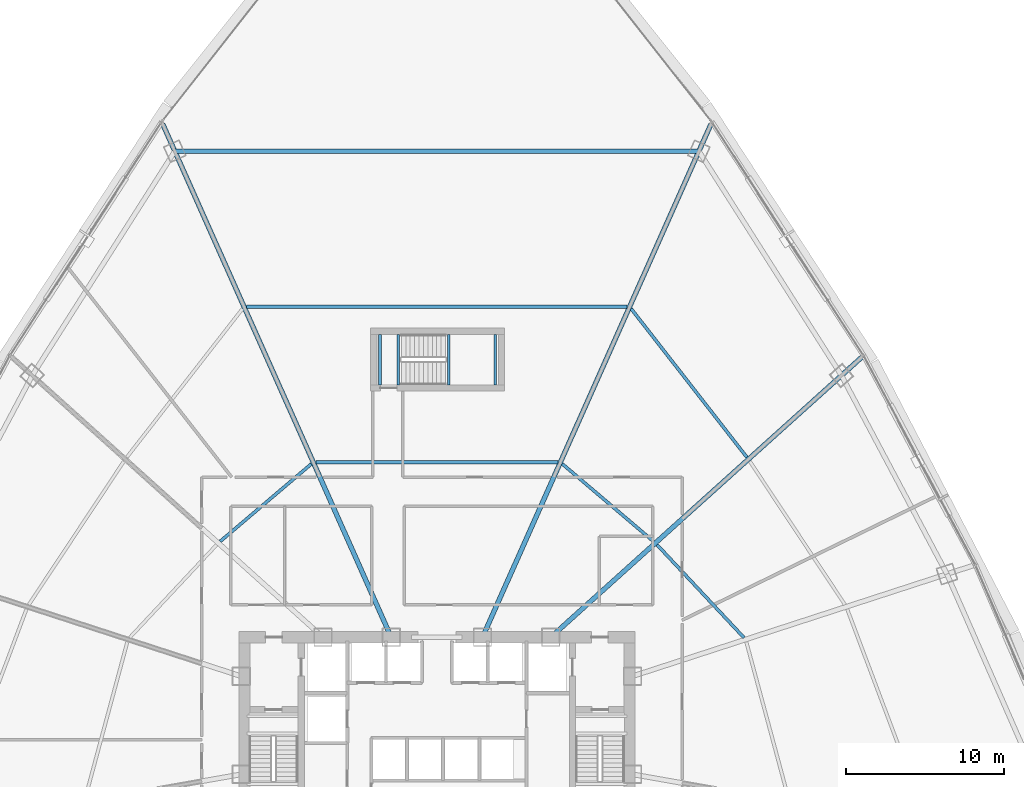
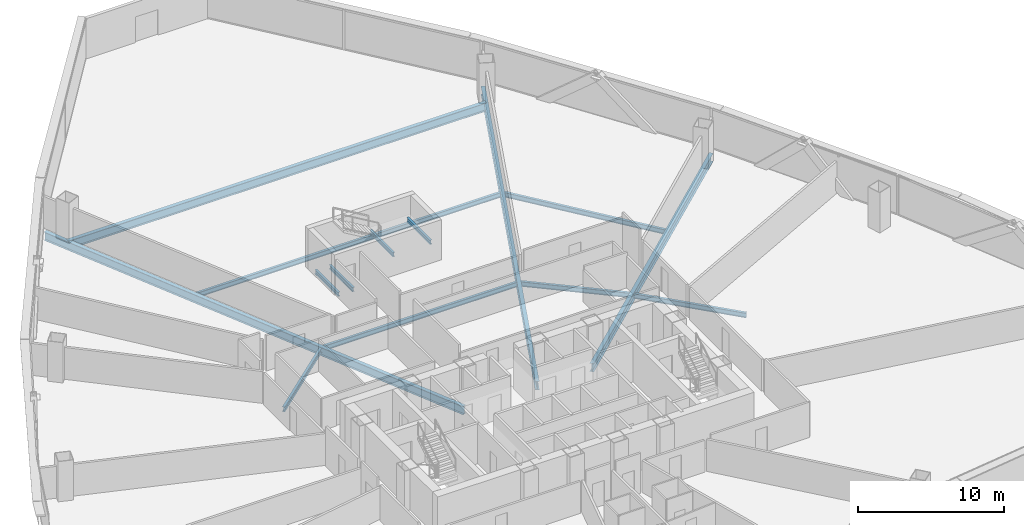
# One storey, part 18 of 38: 14 beams.
"""IFC4 building model written with IfcOpenShell, lengths in metres."""

from ifc_helpers import new_model, si_unit, direction, frame, origin, origin_2d, place, context, subcontext, project, spatial, i_section, extrude, source, transform, mapped, material, material_profile, profile_set, type_object, element, save


model = new_model("IFC4")

# Units and contexts
model_context = context("Model", 3, precision=1e-05, world=origin(), true_north=direction((0.0, 1.0)))
body_context = subcontext(model_context, "Body", "Model", "MODEL_VIEW")
ifc_project = project(units=[si_unit("LENGTHUNIT", "METRE"), si_unit("AREAUNIT", "SQUARE_METRE"), si_unit("VOLUMEUNIT", "CUBIC_METRE"), si_unit("PLANEANGLEUNIT", "RADIAN"), si_unit("MASSUNIT", "GRAM", prefix="KILO"), si_unit("THERMODYNAMICTEMPERATUREUNIT", "KELVIN"), si_unit("POWERUNIT", "WATT")], contexts=[model_context])

# Site, building, storey
site_placement = place(None, origin())
site = spatial("IfcSite", under=ifc_project, at=site_placement, CompositionType="ELEMENT")
building_placement = place(site_placement, origin())
building = spatial("IfcBuilding", under=site, at=building_placement, Name="Yunzhuo Pagoda Commons", CompositionType="ELEMENT")
storey_placement = place(building_placement, frame((0.0, 0.0, 37.659912109375)))
storey = spatial("IfcBuildingStorey", under=building, at=storey_placement, Name="L09", CompositionType="ELEMENT", Elevation=37.659912109375)

# Beams
ifc_material = material(Name="Structural steel Q355B", Category="steel")
ifc_material_profile_1 = material_profile(ifc_material, i_section(OverallWidth=0.175048828125, OverallDepth=0.35009765625, WebThickness=0.007080078125, FlangeThickness=0.010986328125, at=origin_2d()), Name="Structural steel Q355B")
ifc_profile_set_1 = profile_set([ifc_material_profile_1], Name="Structural steel Q355B")
beam_type_1 = type_object("IfcBeamType", Name="B-JS2 Joist HN 350x175x7x11", PredefinedType="JOIST", material=ifc_profile_set_1)
shared_shape_1 = source(origin(), body_context, "Body", "SweptSolid", [
    extrude(i_section(OverallWidth=0.175048828125, OverallDepth=0.35009765625, WebThickness=0.007080078125, FlangeThickness=0.010986328125, at=origin_2d()), origin(), (0.0, 0.0, 1.0), 3.199951171875),
])
for number, where, z_axis, x_axis, name in (
    (1, (48.75, 56.199951171875, 1.440185546875), (0.0, 1.0, 0.0), (-1.0, 0.0, 0.0), "L09 ST3 landing support beam 13A"),
    (2, (51.699951171875, 56.199951171875, 1.440185546875), (0.0, 1.0, 0.0), (-1.0, 0.0, 0.0), "L09 ST3 landing support beam 13B"),
    (3, (44.39990234375, 56.199951171875, -0.375), (0.0, 1.0, 0.0), (-1.0, 0.0, 0.0), "L09 ST3 landing support beam 83A"),
    (4, (45.550048828125, 56.199951171875, -0.375), (0.0, 1.0, 0.0), (-1.0, 0.0, 0.0), "L09 ST3 landing support beam 83B"),
):
    element("IfcBeam", number, at=place(storey_placement, frame(where, z_axis=z_axis, x_axis=x_axis)), inside=storey, type_object=beam_type_1, Name=name, PredefinedType="JOIST", context=body_context, shape_type="MappedRepresentation", body=[
        mapped(shared_shape_1, transform((0.0, 0.0, 0.0), scale=1.0)),
    ])
ifc_material_profile_2 = material_profile(ifc_material, i_section(OverallWidth=0.300048828125, OverallDepth=0.699951171875, WebThickness=0.012939453125, FlangeThickness=0.02392578125, at=origin_2d()), Name="Structural steel Q355B")
ifc_profile_set_2 = profile_set([ifc_material_profile_2], Name="Structural steel Q355B")
beam_type_2 = type_object("IfcBeamType", Name="B-RG1 Beam HN 700x300x13x24", PredefinedType="BEAM", material=ifc_profile_set_2)
shared_shape_2 = source(origin(), body_context, "Body", "SweptSolid", [
    extrude(i_section(OverallWidth=0.300048828125, OverallDepth=0.699951171875, WebThickness=0.012939453125, FlangeThickness=0.02392578125, at=origin_2d()), origin(), (0.0, 0.0, 1.0), 33.2216796875),
])
beam_1_placement = place(storey_placement, frame((64.61083984375, 71.008544921875, -0.60986328125), z_axis=(-1.0, 0.0, 0.0), x_axis=(0.0, -1.0, 0.0)))
element("IfcBeam", 5, at=beam_1_placement, inside=storey, type_object=beam_type_2, Name="L09 column-ring beam 8", PredefinedType="BEAM", context=body_context, shape_type="MappedRepresentation", body=[
    mapped(shared_shape_2, transform((0.0, 0.0, 0.0), scale=1.0)),
])
shared_shape_3 = source(origin(), body_context, "Body", "SweptSolid", [
    extrude(i_section(OverallWidth=0.300048828125, OverallDepth=0.699951171875, WebThickness=0.012939453125, FlangeThickness=0.02392578125, at=origin_2d()), origin(), (0.0, 0.0, 1.0), 26.538818359375),
])
beam_2_placement = place(storey_placement, frame((74.941162109375, 57.9580078125, -0.60986328125), z_axis=(-0.743142261506, -0.669133453927, 0.0), x_axis=(0.669133453927, -0.743142261506, 0.0)))
element("IfcBeam", 6, at=beam_2_placement, inside=storey, type_object=beam_type_2, Name="L09 radial floor girder F2C3", PredefinedType="BEAM", context=body_context, shape_type="MappedRepresentation", body=[
    mapped(shared_shape_3, transform((0.0, 0.0, 0.0), scale=1.0)),
])
shared_shape_4 = source(origin(), body_context, "Body", "SweptSolid", [
    extrude(i_section(OverallWidth=0.300048828125, OverallDepth=0.699951171875, WebThickness=0.012939453125, FlangeThickness=0.02392578125, at=origin_2d()), origin(), (0.0, 0.0, 1.0), 35.606201171875),
])
for number, where, z_axis, x_axis, name in (
    (7, (65.376220703125, 72.727783203125, -0.60986328125), (-0.406733217326, -0.913546982877, 0.0), (0.913546982877, -0.406733217326, 0.0), "L09 radial floor girder F2C4"),
    (8, (30.623779296875, 72.727783203125, -0.60986328125), (0.406733217326, -0.913546982877, 0.0), (0.913546982877, 0.406733217326, 0.0), "L09 radial floor girder F3C1"),
):
    element("IfcBeam", number, at=place(storey_placement, frame(where, z_axis=z_axis, x_axis=x_axis)), inside=storey, type_object=beam_type_2, Name=name, PredefinedType="BEAM", context=body_context, shape_type="MappedRepresentation", body=[
        mapped(shared_shape_4, transform((0.0, 0.0, 0.0), scale=1.0)),
    ])
ifc_material_profile_3 = material_profile(ifc_material, i_section(OverallWidth=0.199951171875, OverallDepth=0.39990234375, WebThickness=0.008056640625, FlangeThickness=0.012939453125, at=origin_2d()), Name="Structural steel Q355B")
ifc_profile_set_3 = profile_set([ifc_material_profile_3], Name="Structural steel Q355B")
beam_type_3 = type_object("IfcBeamType", Name="B-JS1 Joist HN 400x200x8x13", PredefinedType="JOIST", material=ifc_profile_set_3)
shared_shape_5 = source(origin(), body_context, "Body", "SweptSolid", [
    extrude(i_section(OverallWidth=0.199951171875, OverallDepth=0.39990234375, WebThickness=0.008056640625, FlangeThickness=0.012939453125, at=origin_2d()), origin(), (0.0, 0.0, 1.0), 8.055908203125),
])
beam_3_placement = place(storey_placement, frame((67.468017578125, 40.177001953125, -0.4599609375), z_axis=(-0.683432879027, 0.730013355949, 0.0), x_axis=(-0.730013355949, -0.683432879027, 0.0)))
element("IfcBeam", 9, at=beam_3_placement, inside=storey, type_object=beam_type_3, Name="L09 composite ring joist 1.6", PredefinedType="JOIST", context=body_context, shape_type="MappedRepresentation", body=[
    mapped(shared_shape_5, transform((0.0, 0.0, 0.0), scale=1.0)),
])
shared_shape_6 = source(origin(), body_context, "Body", "SweptSolid", [
    extrude(i_section(OverallWidth=0.199951171875, OverallDepth=0.39990234375, WebThickness=0.008056640625, FlangeThickness=0.012939453125, at=origin_2d()), origin(), (0.0, 0.0, 1.0), 7.583984375),
])
for number, where, z_axis, x_axis, name in (
    (10, (61.732421875, 46.277099609375, -0.4599609375), (-0.762037799133, 0.647532541803, 0.0), (-0.647532541803, -0.762037799133, 0.0), "L09 composite ring joist 1.7"),
    (11, (40.046875, 51.18798828125, -0.4599609375), (-0.762037799133, -0.647532541803, 0.0), (0.647532541803, -0.762037799133, 0.0), "L09 composite ring joist 1.9"),
):
    element("IfcBeam", number, at=place(storey_placement, frame(where, z_axis=z_axis, x_axis=x_axis)), inside=storey, type_object=beam_type_3, Name=name, PredefinedType="JOIST", context=body_context, shape_type="MappedRepresentation", body=[
        mapped(shared_shape_6, transform((0.0, 0.0, 0.0), scale=1.0)),
    ])
shared_shape_7 = source(origin(), body_context, "Body", "SweptSolid", [
    extrude(i_section(OverallWidth=0.199951171875, OverallDepth=0.39990234375, WebThickness=0.008056640625, FlangeThickness=0.012939453125, at=origin_2d()), origin(), (0.0, 0.0, 1.0), 11.9345703125),
])
beam_4_placement = place(storey_placement, frame((67.65380859375, 51.609619140625, -0.4599609375), z_axis=(-0.614572048085, 0.788860696012, 0.0), x_axis=(-0.788860696012, -0.614572048085, 0.0)))
element("IfcBeam", 12, at=beam_4_placement, inside=storey, type_object=beam_type_3, Name="L09 composite ring joist 2.7", PredefinedType="JOIST", context=body_context, shape_type="MappedRepresentation", body=[
    mapped(shared_shape_7, transform((0.0, 0.0, 0.0), scale=1.0)),
])
shared_shape_8 = source(origin(), body_context, "Body", "SweptSolid", [
    extrude(i_section(OverallWidth=0.199951171875, OverallDepth=0.39990234375, WebThickness=0.008056640625, FlangeThickness=0.012939453125, at=origin_2d()), origin(), (0.0, 0.0, 1.0), 15.34619140625),
])
beam_5_placement = place(storey_placement, frame((55.673095703125, 51.291015625, -0.4599609375), z_axis=(-1.0, 0.0, 0.0), x_axis=(0.0, -1.0, 0.0)))
element("IfcBeam", 13, at=beam_5_placement, inside=storey, type_object=beam_type_3, Name="L09 composite ring joist 1.8", PredefinedType="JOIST", context=body_context, shape_type="MappedRepresentation", body=[
    mapped(shared_shape_8, transform((0.0, 0.0, 0.0), scale=1.0)),
])
shared_shape_9 = source(origin(), body_context, "Body", "SweptSolid", [
    extrude(i_section(OverallWidth=0.199951171875, OverallDepth=0.39990234375, WebThickness=0.008056640625, FlangeThickness=0.012939453125, at=origin_2d()), origin(), (0.0, 0.0, 1.0), 24.125),
])
beam_6_placement = place(storey_placement, frame((60.0625, 61.14990234375, -0.4599609375), z_axis=(-1.0, 0.0, 0.0), x_axis=(0.0, -1.0, 0.0)))
element("IfcBeam", 14, at=beam_6_placement, inside=storey, type_object=beam_type_3, Name="L09 composite ring joist 2.8", PredefinedType="JOIST", context=body_context, shape_type="MappedRepresentation", body=[
    mapped(shared_shape_9, transform((0.0, 0.0, 0.0), scale=1.0)),
])

save(model, "model.ifc")
